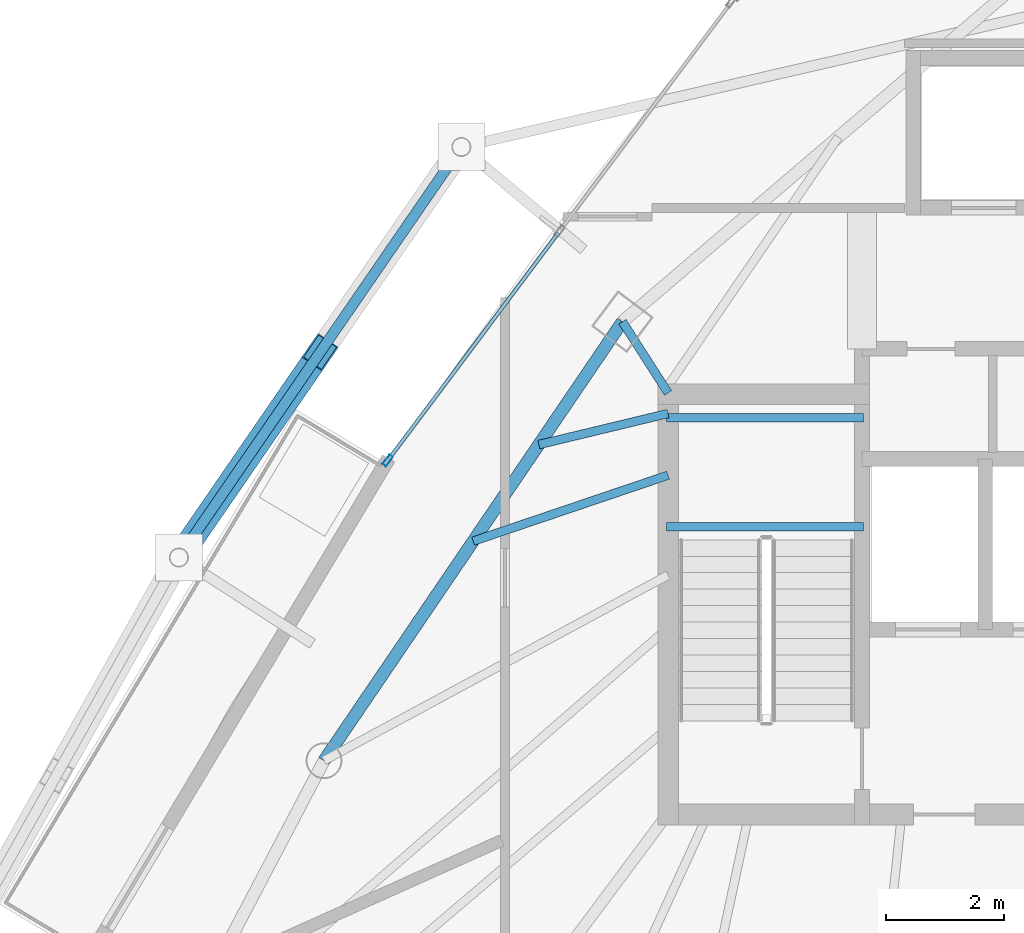
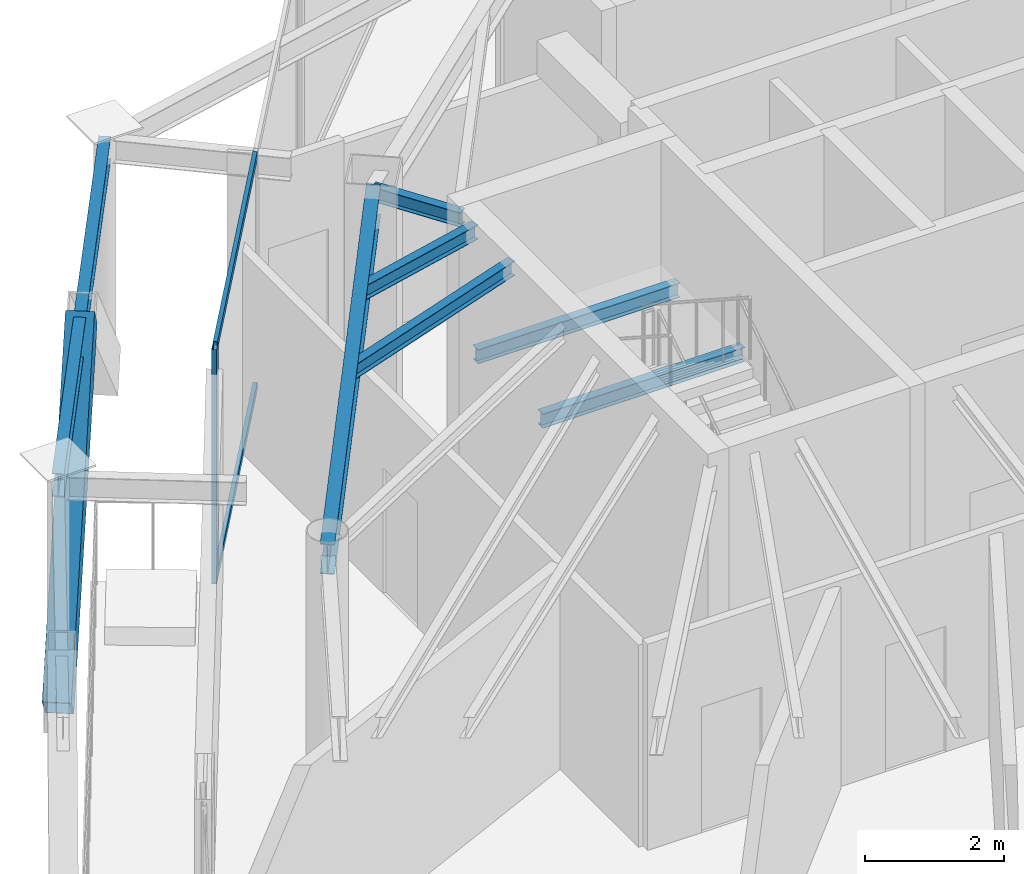
# One storey, part 9 of 25: 7 beams, 4 members, 1 element without a shape of its own.
"""IFC4 building model written with IfcOpenShell, lengths in metres."""

from ifc_helpers import new_model, si_unit, direction, frame, origin, origin_2d, place, context, subcontext, project, spatial, hollow_rectangle, i_section, extrude, material, layer, layer_set, material_profile, profile_set, type_object, element, aggregate, save


model = new_model("IFC4")

# Units and contexts
model_context = context("Model", 3, precision=1e-05, world=origin(), true_north=direction((0.0, 1.0)))
body_context = subcontext(model_context, "Body", "Model", "MODEL_VIEW")
ifc_project = project(units=[si_unit("LENGTHUNIT", "METRE"), si_unit("AREAUNIT", "SQUARE_METRE"), si_unit("VOLUMEUNIT", "CUBIC_METRE"), si_unit("PLANEANGLEUNIT", "RADIAN"), si_unit("MASSUNIT", "GRAM", prefix="KILO")], contexts=[model_context])

# Site, building, storey
site_placement = place(None, origin())
site = spatial("IfcSite", under=ifc_project, at=site_placement, CompositionType="ELEMENT")
building_placement = place(site_placement, origin())
building = spatial("IfcBuilding", under=site, at=building_placement, Name="Orvanel Arch Residences", CompositionType="ELEMENT")
storey_placement = place(building_placement, frame((0.0, 0.0, 236.0)))
storey = spatial("IfcBuildingStorey", under=building, at=storey_placement, Name="L67", CompositionType="ELEMENT", Elevation=236.0)

# Beams
ifc_material_1 = material(Name="Structural steel AS/NZS 3679.1 Grade 300 (300 MPa)", Category="steel")
ifc_material_profile_1 = material_profile(ifc_material_1, i_section(OverallWidth=0.14599609375, OverallDepth=0.251953125, WebThickness=0.006103515625, FlangeThickness=0.008544921875, at=origin_2d()), Name="250UB31.4")
ifc_profile_set_1 = profile_set([ifc_material_profile_1], Name="Structural steel AS/NZS 3679.1 Grade 300 (300 MPa)")
beam_type_1 = type_object("IfcBeamType", Name="BJ-250UB", PredefinedType="JOIST", material=ifc_profile_set_1)
for number, where, z_axis, x_axis, name in (
    (1, (26.39990234375, 31.6201171875, 1.84912109375), (1.0, 0.0, 0.0), (0.0, 1.0, 0.0), "L67 ST-1 Half-Landing Support Beam 1.1"),
    (2, (26.39990234375, 33.47998046875, 1.84912109375), (1.0, 0.0, 0.0), (0.0, 1.0, 0.0), "L67 ST-1 Half-Landing Support Beam 1.2"),
):
    element("IfcBeam", number, at=place(storey_placement, frame(where, z_axis=z_axis, x_axis=x_axis)), inside=storey, type_object=beam_type_1, Name=name, PredefinedType="JOIST", context=body_context, shape_type="SweptSolid", body=[
        extrude(i_section(OverallWidth=0.14599609375, OverallDepth=0.251953125, WebThickness=0.006103515625, FlangeThickness=0.008544921875, at=origin_2d()), origin(), (0.0, 0.0, 1.0), 3.35009765625),
    ])
beam_1_placement = place(storey_placement, frame((26.425048828125, 33.89990234375, 3.98388671875), z_axis=(-0.539395075146, 0.842052820735, 0.0), x_axis=(-0.842052820735, -0.539395075146, 0.0)))
element("IfcBeam", 3, at=beam_1_placement, inside=storey, type_object=beam_type_1, Name="L67 NNW Wing Floor Joist", PredefinedType="JOIST", context=body_context, shape_type="SweptSolid", body=[
    extrude(i_section(OverallWidth=0.14599609375, OverallDepth=0.251953125, WebThickness=0.006103515625, FlangeThickness=0.008544921875, at=origin_2d()), origin(), (0.0, 0.0, 1.0), 1.440673828125),
])
beam_2_placement = place(storey_placement, frame((26.425048828125, 32.5, 3.98388671875), z_axis=(-0.947187956478, -0.320678928373, 0.0), x_axis=(0.320678928373, -0.947187956478, 0.0)))
element("IfcBeam", 4, at=beam_2_placement, inside=storey, type_object=beam_type_1, Name="L67 WNW Wing Floor Joist", PredefinedType="JOIST", context=body_context, shape_type="SweptSolid", body=[
    extrude(i_section(OverallWidth=0.14599609375, OverallDepth=0.251953125, WebThickness=0.006103515625, FlangeThickness=0.008544921875, at=origin_2d()), origin(), (0.0, 0.0, 1.0), 3.502197265625),
])
beam_3_placement = place(storey_placement, frame((26.425048828125, 33.550048828125, 3.98388671875), z_axis=(-0.972256833016, -0.23391590509, 0.0), x_axis=(0.23391590509, -0.972256833016, 0.0)))
element("IfcBeam", 5, at=beam_3_placement, inside=storey, type_object=beam_type_1, Name="L67 JADD3 Wing Floor Joist", PredefinedType="JOIST", context=body_context, shape_type="SweptSolid", body=[
    extrude(i_section(OverallWidth=0.14599609375, OverallDepth=0.251953125, WebThickness=0.006103515625, FlangeThickness=0.008544921875, at=origin_2d()), origin(), (0.0, 0.0, 1.0), 2.26171875),
])

# Member
ifc_material_2 = material(Name="Structural steel AS/NZS 3678 Grade 350", Category="steel")
ifc_material_profile_2 = material_profile(ifc_material_2, hollow_rectangle(XDim=0.419921875, YDim=0.719970703125, WallThickness=0.02490234375, at=origin_2d()), Name="RHS720x420x25")
ifc_profile_set_2 = profile_set([ifc_material_profile_2], Name="Structural steel AS/NZS 3678 Grade 350")
member_type_1 = type_object("IfcMemberType", Name="BR-720RHS-EXT", PredefinedType="BRACE", material=ifc_profile_set_2)
member_1_placement = place(storey_placement, frame((18.09912109375, 31.09912109375, 0.0), z_axis=(0.416872526769, 0.605917401035, 0.677555458651), x_axis=(-0.823848712091, 0.566809756079, 0.0)))
element("IfcMember", 6, at=member_1_placement, inside=storey, type_object=member_type_1, Name="L67 Exterior Sky-Garden V-Frame Chevron F1B1.2", PredefinedType="BRACE", context=body_context, shape_type="SweptSolid", body=[
    extrude(hollow_rectangle(XDim=0.419921875, YDim=0.719970703125, WallThickness=0.02490234375, at=origin_2d()), origin(), (0.0, 0.0, 1.0), 5.766357421875),
])

# Curtain wall, member
ifc_material_3 = material(Name="Bronze-anodised aluminium AA6063-T6", Category="aluminium")
ifc_layer = layer(ifc_material_3, 0.195068359375)
ifc_layer_set = layer_set([ifc_layer], Name="Bronze-anodised aluminium AA6063-T6")
curtain_wall_type = type_object("IfcCurtainWallType", Name="CW6-COM-SYS", PredefinedType="NOTDEFINED", material=ifc_layer_set)
curtain_wall_placement = place(storey_placement, origin())
curtain_wall = element("IfcCurtainWall", 7, at=curtain_wall_placement, inside=storey, type_object=curtain_wall_type, Name="L67 CW6-COM-SYS Unitised Curtain Wall", PredefinedType="NOTDEFINED")
ifc_material_profile_3 = material_profile(ifc_material_3, hollow_rectangle(XDim=0.074951171875, YDim=0.199951171875, WallThickness=0.0048828125, at=origin_2d()), Name="ALU200x75x5")
ifc_profile_set_3 = profile_set([ifc_material_profile_3], Name="Bronze-anodised aluminium AA6063-T6")
member_type_2 = type_object("IfcMemberType", Name="MUL-200x75", PredefinedType="MULLION", material=ifc_profile_set_3)
member_2_placement = place(storey_placement, frame((21.653564453125, 32.7490234375, 0.0), z_axis=(0.0, 0.0, 1.0), x_axis=(0.800207454787, -0.599723293947, 0.0)))
member_2 = element("IfcMember", 8, at=member_2_placement, type_object=member_type_2, Name="CW-S6 mullion 3", PredefinedType="MULLION", context=body_context, shape_type="SweptSolid", body=[
    extrude(hollow_rectangle(XDim=0.074951171875, YDim=0.199951171875, WallThickness=0.0048828125, at=origin_2d()), origin(), (0.0, 0.0, 1.0), 4.110107421875),
])

# Beams
ifc_material_profile_4 = material_profile(ifc_material_1, i_section(OverallWidth=0.177978515625, OverallDepth=0.406005859375, WebThickness=0.0078125, FlangeThickness=0.0126953125, at=origin_2d()), Name="410UB59.7")
ifc_profile_set_4 = profile_set([ifc_material_profile_4], Name="Structural steel AS/NZS 3679.1 Grade 300 (300 MPa)")
beam_type_2 = type_object("IfcBeamType", Name="OB-410UB-EXT", PredefinedType="SPANDREL", material=ifc_profile_set_4)
beam_4_placement = place(storey_placement, frame((22.906982421875, 38.0859375, 3.906982421875), z_axis=(-0.566883059983, -0.823798274036, 0.0), x_axis=(0.823798274036, -0.566883059983, 0.0)))
element("IfcBeam", 9, at=beam_4_placement, inside=storey, type_object=beam_type_2, Name="L67 Outer Perimeter Floor Ring Beam 01", PredefinedType="SPANDREL", context=body_context, shape_type="SweptSolid", body=[
    extrude(i_section(OverallWidth=0.177978515625, OverallDepth=0.406005859375, WebThickness=0.0078125, FlangeThickness=0.0126953125, at=origin_2d()), origin(), (0.0, 0.0, 1.0), 8.481201171875),
])
ifc_material_profile_5 = material_profile(ifc_material_1, i_section(OverallWidth=0.208984375, OverallDepth=0.532958984375, WebThickness=0.01025390625, FlangeThickness=0.015625, at=origin_2d()), Name="530UB92.4")
ifc_profile_set_5 = profile_set([ifc_material_profile_5], Name="Structural steel AS/NZS 3679.1 Grade 300 (300 MPa)")
beam_type_3 = type_object("IfcBeamType", Name="SP-530UB", PredefinedType="SPANDREL", material=ifc_profile_set_5)
beam_5_placement = place(storey_placement, frame((25.64794921875, 35.113037109375, 3.843994140625), z_axis=(-0.562154793153, -0.827032035978, 0.0), x_axis=(0.827032035978, -0.562154793153, 0.0)))
element("IfcBeam", 10, at=beam_5_placement, inside=storey, type_object=beam_type_3, Name="L67 Perimeter Spandrel Beam 11", PredefinedType="SPANDREL", context=body_context, shape_type="SweptSolid", body=[
    extrude(i_section(OverallWidth=0.208984375, OverallDepth=0.532958984375, WebThickness=0.01025390625, FlangeThickness=0.015625, at=origin_2d()), origin(), (0.0, 0.0, 1.0), 9.03466796875),
])

# Member
ifc_material_profile_6 = material_profile(ifc_material_3, hollow_rectangle(XDim=0.06494140625, YDim=0.14990234375, WallThickness=0.00390625, at=origin_2d()), Name="ALU150x65x4")
ifc_profile_set_6 = profile_set([ifc_material_profile_6], Name="Bronze-anodised aluminium AA6063-T6")
member_type_3 = type_object("IfcMemberType", Name="TRN-150x65", PredefinedType="USERDEFINED", material=ifc_profile_set_6)
member_3_placement = place(storey_placement, frame((24.556396484375, 36.62255859375, 0.032470703125), z_axis=(-0.599699040592, -0.800225631127, 0.0), x_axis=(0.800225631127, -0.599699040592, 0.0)))
member_3 = element("IfcMember", 11, at=member_3_placement, type_object=member_type_3, Name="CW-S6 transom 2.1", ObjectType="TRANSOM", PredefinedType="USERDEFINED", context=body_context, shape_type="SweptSolid", body=[
    extrude(hollow_rectangle(XDim=0.06494140625, YDim=0.14990234375, WallThickness=0.00390625, at=origin_2d()), origin(), (0.0, 0.0, 1.0), 4.802978515625),
])

member_4_placement = place(storey_placement, frame((24.556396484375, 36.62255859375, 4.077392578125), z_axis=(-0.599699040592, -0.800225631127, 0.0), x_axis=(0.800225631127, -0.599699040592, 0.0)))
member_4 = element("IfcMember", 12, at=member_4_placement, type_object=member_type_3, Name="CW-S6 transom 2.2", ObjectType="TRANSOM", PredefinedType="USERDEFINED", context=body_context, shape_type="SweptSolid", body=[
    extrude(hollow_rectangle(XDim=0.06494140625, YDim=0.14990234375, WallThickness=0.00390625, at=origin_2d()), origin(), (0.0, 0.0, 1.0), 4.802978515625),
])

aggregate(curtain_wall, [member_2, member_3, member_4])

save(model, "model.ifc")
